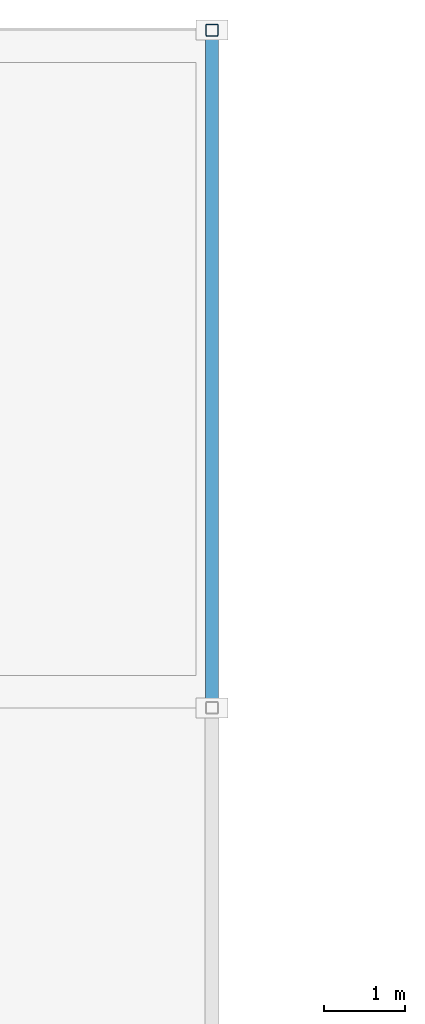
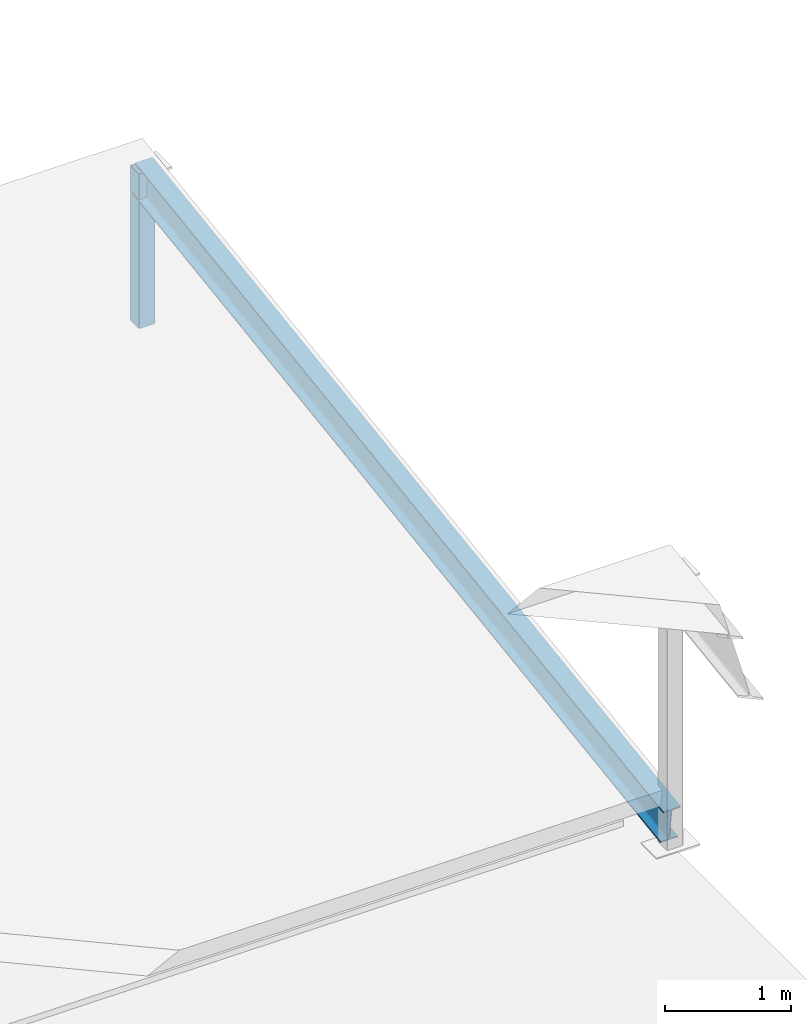
# One storey, part 8 of 12: 1 beam, 1 member.
"""IFC4 building model written with IfcOpenShell, lengths in metres."""

import ifcopenshell
import ifcopenshell.guid

model = None  # the IFC model being written
_history = None  # IfcOwnerHistory: only IFC2X3 demands one
_inside = {}  # id of a spatial element -> (the spatial element, [elements in it])
_under = {}  # id of a project, library or spatial element -> (it, [spatial elements below it])
_declared = {}  # id of a project -> (the project, [libraries it declares])
_typed = {}  # id of a type object -> (the type object, [elements of that type])
_made_of = {}  # id of a material, layer set ... -> (it, [elements and type objects made of it])


def new_model(schema):
    """Start an empty IFC model of exactly this schema.

    Asked for "IFC4X3", IfcOpenShell would pick the latest addendum, in which some entities
    have other attributes; the version numbers below select the first issue.
    IFC2X3 requires an IfcOwnerHistory on every rooted entity: one is made here for all.
    """
    global model, _history
    if schema == "IFC4X3":
        model = ifcopenshell.file(schema_version=(4, 3, 0, 0))
    else:
        model = ifcopenshell.file(schema=schema)
    _inside.clear()
    _under.clear()
    _declared.clear()
    _typed.clear()
    _made_of.clear()
    _history = None
    if model.schema == "IFC2X3":
        org = make("IfcOrganization", Name="unknown")
        user = make(
            "IfcPersonAndOrganization",
            ThePerson=make("IfcPerson", FamilyName="unknown"),
            TheOrganization=org,
        )
        app = make(
            "IfcApplication",
            ApplicationDeveloper=org,
            Version="unknown",
            ApplicationFullName="unknown",
            ApplicationIdentifier="unknown",
        )
        _history = make(
            "IfcOwnerHistory",
            OwningUser=user,
            OwningApplication=app,
            ChangeAction="ADDED",
            CreationDate=0,
        )
    return model


def make(cls, **values):
    """One entity of the class cls with the attributes given. An attribute that is None is left unset."""
    return model.create_entity(
        cls, **{name: value for name, value in values.items() if value is not None}
    )


def rooted(cls, **values):
    """An entity with a GlobalId (a new one), such as an element, a storey or a relation."""
    return make(cls, GlobalId=ifcopenshell.guid.new(), OwnerHistory=_history, **values)


def si_unit(unit_type, name, prefix=None):
    """IfcSIUnit, for example si_unit("LENGTHUNIT", "METRE", prefix="MILLI")."""
    return make("IfcSIUnit", UnitType=unit_type, Prefix=prefix, Name=name)


def assignment(units):
    """IfcUnitAssignment: the units of a project."""
    return None if units is None else make("IfcUnitAssignment", Units=units)


def point(xyz):
    """IfcCartesianPoint."""
    return None if xyz is None else make("IfcCartesianPoint", Coordinates=xyz)


def direction(xyz):
    """IfcDirection."""
    return None if xyz is None else make("IfcDirection", DirectionRatios=xyz)


def frame(location, z_axis=None, x_axis=None):
    """IfcAxis2Placement3D, a coordinate frame: its origin and axes. An axis left out is left unset."""
    return make(
        "IfcAxis2Placement3D",
        Location=point(location),
        Axis=direction(z_axis),
        RefDirection=direction(x_axis),
    )


def frame_2d(location, x_axis=None):
    """IfcAxis2Placement2D, a coordinate frame in the plane: its origin and x axis."""
    return make(
        "IfcAxis2Placement2D", Location=point(location), RefDirection=direction(x_axis)
    )


def origin():
    """The frame at (0, 0, 0) with its axes left unset."""
    return frame((0.0, 0.0, 0.0))


def origin_2d():
    """The frame at (0, 0) in the plane with its x axis left unset."""
    return frame_2d((0.0, 0.0))


def place(relative_to, where):
    """IfcLocalPlacement: puts the frame where relative to a parent placement (None: the world)."""
    return make(
        "IfcLocalPlacement", PlacementRelTo=relative_to, RelativePlacement=where
    )


def context(
    kind, dimensions, precision=None, world=None, true_north=None, identifier=None
):
    """IfcGeometricRepresentationContext, for example the 3D "Model" context."""
    return make(
        "IfcGeometricRepresentationContext",
        ContextIdentifier=identifier,
        ContextType=kind,
        CoordinateSpaceDimension=dimensions,
        Precision=precision,
        WorldCoordinateSystem=world,
        TrueNorth=true_north,
    )


def subcontext(parent, identifier, kind, view, scale=None):
    """IfcGeometricRepresentationSubContext, for example "Body" below "Model"."""
    return make(
        "IfcGeometricRepresentationSubContext",
        ContextIdentifier=identifier,
        ContextType=kind,
        ParentContext=parent,
        TargetScale=scale,
        TargetView=view,
    )


def project(units=None, contexts=None):
    """IfcProject with its units and contexts."""
    return rooted(
        "IfcProject",
        Name="project",
        RepresentationContexts=contexts,
        UnitsInContext=assignment(units),
    )


def spatial(cls, under=None, at=None, **own):
    """A site, building, storey or space (cls), placed at a placement, below another one or the project."""
    s = rooted(cls, ObjectPlacement=at, **own)
    if under is not None:
        _under.setdefault(under.id(), (under, []))[1].append(s)
    return s


def profile(cls, at=None, kind="AREA", **sizes):
    """A parametric profile (cls). Its sizes go by their IFC names, for example OverallWidth=200.0."""
    return make(cls, ProfileType=kind, Position=at, **sizes)


def hollow_rectangle(**sizes):
    """IfcRectangleHollowProfileDef."""
    return profile("IfcRectangleHollowProfileDef", **sizes)


def i_section(**sizes):
    """IfcIShapeProfileDef."""
    return profile("IfcIShapeProfileDef", **sizes)


def extrude(swept, where, along, depth):
    """IfcExtrudedAreaSolid: the profile swept, set in the frame where, extruded along a direction by depth."""
    return make(
        "IfcExtrudedAreaSolid",
        SweptArea=swept,
        Position=where,
        ExtrudedDirection=direction(along),
        Depth=depth,
    )


def shape(context_of_items, identifier, shape_type, items):
    """IfcShapeRepresentation: the items that make up one representation, for example the "Body"."""
    return make(
        "IfcShapeRepresentation",
        ContextOfItems=context_of_items,
        RepresentationIdentifier=identifier,
        RepresentationType=shape_type,
        Items=items,
    )


def material(Name=None, Category=None):
    """IfcMaterial."""
    return make("IfcMaterial", Name=Name, Category=Category)


def material_profile(
    of_material, cross_section, Name=None, Category=None, Priority=None
):
    """IfcMaterialProfile: a cross section and its material."""
    return make(
        "IfcMaterialProfile",
        Name=Name,
        Material=of_material,
        Profile=cross_section,
        Priority=Priority,
        Category=Category,
    )


def profile_set(profiles, Name=None, composite=None):
    """IfcMaterialProfileSet."""
    return make(
        "IfcMaterialProfileSet",
        Name=Name,
        MaterialProfiles=profiles,
        CompositeProfile=composite,
    )


def made_of(thing, what):
    """Note that an element or type object is made of a material, layer set ...; save() writes the relation."""
    if what is not None:
        _made_of.setdefault(what.id(), (what, []))[1].append(thing)
    return thing


def type_object(cls, material=None, **own):
    """A type object (cls), such as IfcWallType, which elements share."""
    return made_of(rooted(cls, **own), material)


def element(
    cls,
    number,
    at=None,
    inside=None,
    cuts=None,
    type_object=None,
    material=None,
    context=None,
    identifier="Body",
    shape_type=None,
    held_by="IfcProductDefinitionShape",
    body=None,
    shapes=None,
    **own,
):
    """One element of the class cls, such as IfcWall. Its Tag is "e" and its number.

    at: its placement. inside: the storey or other place that contains it. cuts: it is an
    opening in that element (IfcRelVoidsElement). A single representation is given by context,
    identifier, shape_type and body (its items); several are given by shapes. held_by: the class
    of the entity that holds the representations. save() writes the other relations.
    """
    e = rooted(cls, Tag="e%d" % number, ObjectPlacement=at, **own)
    if body is not None:
        shapes = [shape(context, identifier, shape_type, body)]
    if shapes is not None:
        e.Representation = make(held_by, Representations=shapes)
    if inside is not None:
        _inside.setdefault(inside.id(), (inside, []))[1].append(e)
    if cuts is not None:
        rooted(
            "IfcRelVoidsElement", RelatingBuildingElement=cuts, RelatedOpeningElement=e
        )
    if type_object is not None:
        _typed.setdefault(type_object.id(), (type_object, []))[1].append(e)
    return made_of(e, material)


def aggregate(whole, parts):
    """IfcRelAggregates: a whole, such as a stair, and the parts it consists of."""
    return rooted("IfcRelAggregates", RelatingObject=whole, RelatedObjects=parts)


def save(model, path):
    """Write the relations noted so far, then the file.

    IfcRelAggregates (storeys below a building ...), IfcRelContainedInSpatialStructure (elements
    in a storey), IfcRelDefinesByType, IfcRelAssociatesMaterial and IfcRelDeclares: one each for
    every whole, place, type object, material and project.
    """
    for whole, parts in _under.values():
        aggregate(whole, parts)
    for where, things in _inside.values():
        rooted(
            "IfcRelContainedInSpatialStructure",
            RelatedElements=things,
            RelatingStructure=where,
        )
    for kind, things in _typed.values():
        rooted("IfcRelDefinesByType", RelatedObjects=things, RelatingType=kind)
    for what, things in _made_of.values():
        rooted("IfcRelAssociatesMaterial", RelatedObjects=things, RelatingMaterial=what)
    for by, libraries in _declared.values():
        rooted("IfcRelDeclares", RelatingContext=by, RelatedDefinitions=libraries)
    model.write(path)


model = new_model("IFC4")

# Units and contexts
model_context = context("Model", 3, precision=1e-05, world=origin(), true_north=direction((0.0, 1.0)))
body_context = subcontext(model_context, "Body", "Model", "MODEL_VIEW")
ifc_project = project(units=[si_unit("LENGTHUNIT", "METRE"), si_unit("AREAUNIT", "SQUARE_METRE"), si_unit("VOLUMEUNIT", "CUBIC_METRE"), si_unit("PLANEANGLEUNIT", "RADIAN"), si_unit("MASSUNIT", "GRAM", prefix="KILO")], contexts=[model_context])

# Site, building, storey
site_placement = place(None, origin())
site = spatial("IfcSite", under=ifc_project, at=site_placement, CompositionType="ELEMENT")
building_placement = place(site_placement, origin())
building = spatial("IfcBuilding", under=site, at=building_placement, Name="Varnapada Polytechnic", CompositionType="ELEMENT")
storey_placement = place(building_placement, frame((0.0, 0.0, 30.60009765625)))
storey = spatial("IfcBuildingStorey", under=building, at=storey_placement, Name="Roof", CompositionType="ELEMENT", Elevation=30.60009765625)

# Beam
ifc_material = material(Name="Steel S355", Category="steel")
ifc_material_profile_1 = material_profile(ifc_material, i_section(OverallWidth=0.159912109375, OverallDepth=0.330078125, WebThickness=0.007568359375, FlangeThickness=0.011474609375, FilletRadius=0.01806640625, at=origin_2d()), Name="IPE 330")
ifc_profile_set_1 = profile_set([ifc_material_profile_1], Name="Steel S355")
beam_type = type_object("IfcBeamType", Name="Clerestory monitor steel rafter SB-07 (IPE 330)", PredefinedType="BEAM", material=ifc_profile_set_1)
beam_placement = place(storey_placement, frame((25.199951171875, 109.199951171875, 0.18994140625), z_axis=(0.0, 0.989784856566, 0.142569062956), x_axis=(-1.0, 0.0, 0.0)))
element("IfcBeam", 1, at=beam_placement, inside=storey, type_object=beam_type, Name="Studio sawtooth rafter 4.4", PredefinedType="BEAM", context=body_context, shape_type="SweptSolid", body=[
    extrude(i_section(OverallWidth=0.159912109375, OverallDepth=0.330078125, WebThickness=0.007568359375, FlangeThickness=0.011474609375, FilletRadius=0.01806640625, at=origin_2d()), origin(), (0.0, 0.0, 1.0), 8.48681640625),
])

# Member
ifc_material_profile_2 = material_profile(ifc_material, hollow_rectangle(XDim=0.14990234375, YDim=0.14990234375, WallThickness=0.00634765625, InnerFilletRadius=0.006103515625, OuterFilletRadius=0.011962890625, at=origin_2d()), Name="SHS 150x150x6.3")
ifc_profile_set_2 = profile_set([ifc_material_profile_2], Name="Steel S355")
member_type = type_object("IfcMemberType", Name="Sawtooth north-light mullion post SFP-02 (SHS 150x150x6.3)", PredefinedType="POST", material=ifc_profile_set_2)
member_placement = place(storey_placement, frame((25.199951171875, 117.60009765625, -0.02001953125), z_axis=(0.0, 0.0, 1.0), x_axis=(1.0, 0.0, 0.0)))
element("IfcMember", 2, at=member_placement, inside=storey, type_object=member_type, Name="Studio sawtooth north-light post 4.4", PredefinedType="POST", context=body_context, shape_type="SweptSolid", body=[
    extrude(hollow_rectangle(XDim=0.14990234375, YDim=0.14990234375, WallThickness=0.00634765625, InnerFilletRadius=0.006103515625, OuterFilletRadius=0.011962890625, at=origin_2d()), origin(), (0.0, 0.0, 1.0), 1.5),
])

save(model, "model.ifc")
